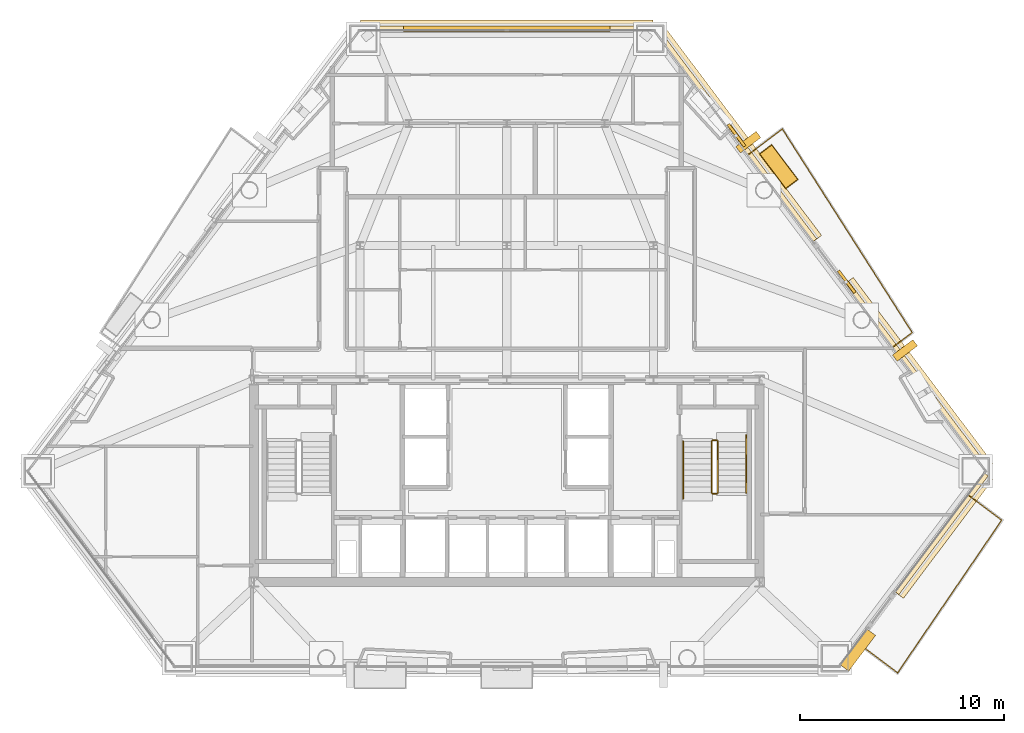
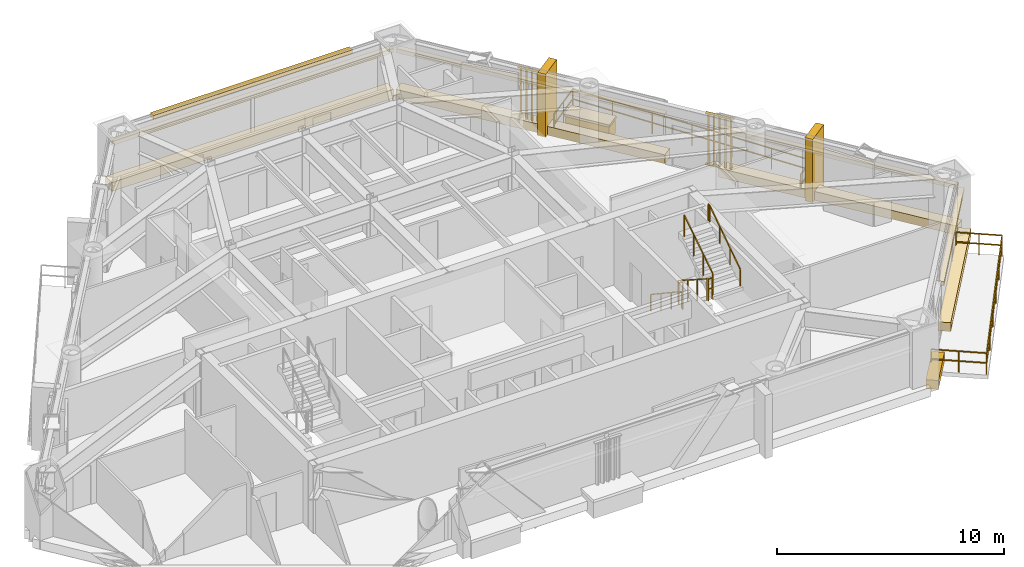
# One storey, part 11 of 11: 13 coverings, 8 railings, 3 shading devices.
"""IFC4 building model written with IfcOpenShell, lengths in metres."""

from ifc_helpers import new_model, si_unit, direction, frame, origin, origin_2d, place, context, subcontext, project, spatial, rectangle, extrude, source, transform, mapped, material, layer, layer_set, type_object, type_shapes, element, save


model = new_model("IFC4")

# Units and contexts
model_context = context("Model", 3, precision=1e-05, world=origin(), true_north=direction((0.0, 1.0)))
body_context = subcontext(model_context, "Body", "Model", "MODEL_VIEW")
ifc_project = project(units=[si_unit("LENGTHUNIT", "METRE"), si_unit("AREAUNIT", "SQUARE_METRE"), si_unit("VOLUMEUNIT", "CUBIC_METRE"), si_unit("PLANEANGLEUNIT", "RADIAN"), si_unit("MASSUNIT", "GRAM", prefix="KILO")], contexts=[model_context])

# Site, building, storey
site_placement = place(None, origin())
site = spatial("IfcSite", under=ifc_project, at=site_placement, CompositionType="ELEMENT")
building_placement = place(site_placement, origin())
building = spatial("IfcBuilding", under=site, at=building_placement, Name="Talgorran Terracotta Tower", CompositionType="ELEMENT")
storey_placement = place(building_placement, frame((0.0, 0.0, 79.199951171875)))
storey = spatial("IfcBuildingStorey", under=building, at=storey_placement, Name="L20", CompositionType="ELEMENT", Elevation=79.199951171875)

# Coverings
ifc_material_1 = material(Name="Kiln-Fired Terracotta Ochre Ceramic", Category="masonry")
ifc_layer_1 = layer(ifc_material_1, 0.179931640625, Name="COV_BAGUETTE_TERRACOTTA_SCREEN")
ifc_layer_set_1 = layer_set([ifc_layer_1], Name="Kiln-Fired Terracotta Ochre Ceramic")
covering_type_1 = type_object("IfcCoveringType", Name="COV_BAGUETTE_TERRACOTTA_SCREEN", PredefinedType="CLADDING", material=ifc_layer_set_1)
covering_1_placement = place(storey_placement, frame((21.32861328125, -11.732666015625, 2.41015625), z_axis=(0.0, 0.0, 1.0), x_axis=(0.601257323772, 0.799055461536, 0.0)))
element("IfcCovering", 1, at=covering_1_placement, inside=storey, type_object=covering_type_1, Name="L20 Terracotta Baguette Solar Screen Assembly F31", PredefinedType="CLADDING", context=body_context, shape_type="SweptSolid", body=[
    extrude(rectangle(XDim=7.287841796875, YDim=0.260009765625, at=origin_2d()), origin(), (0.0, 0.0, 1.0), 0.219970703125),
])
covering_2_placement = place(storey_placement, frame((20.094482421875, -3.972900390625, 2.41015625), z_axis=(0.0, 0.0, 1.0), x_axis=(-0.601243377531, 0.799065955334, 0.0)))
element("IfcCovering", 2, at=covering_2_placement, inside=storey, type_object=covering_type_1, Name="L20 Terracotta Baguette Solar Screen Assembly F40", PredefinedType="CLADDING", context=body_context, shape_type="SweptSolid", body=[
    extrude(rectangle(XDim=11.393310546875, YDim=0.260009765625, at=origin_2d()), origin(), (0.0, 0.0, 1.0), 0.219970703125),
])
covering_3_placement = place(storey_placement, frame((11.2431640625, 7.791015625, 2.41015625), z_axis=(0.0, 0.0, 1.0), x_axis=(-0.601243377531, 0.799065955334, 0.0)))
element("IfcCovering", 3, at=covering_3_placement, inside=storey, type_object=covering_type_1, Name="L20 Terracotta Baguette Solar Screen Assembly F41", PredefinedType="CLADDING", context=body_context, shape_type="SweptSolid", body=[
    extrude(rectangle(XDim=12.850341796875, YDim=0.260009765625, at=origin_2d()), origin(), (0.0, 0.0, 1.0), 0.219970703125),
])
covering_4_placement = place(storey_placement, frame((0.0, 13.052734375, 2.41015625), z_axis=(0.0, 0.0, 1.0), x_axis=(-1.0, 0.0, 0.0)))
element("IfcCovering", 4, at=covering_4_placement, inside=storey, type_object=covering_type_1, Name="L20 Terracotta Baguette Solar Screen Assembly F4", PredefinedType="CLADDING", context=body_context, shape_type="SweptSolid", body=[
    extrude(rectangle(XDim=14.328125, YDim=0.260009765625, at=origin_2d()), origin(), (0.0, 0.0, 1.0), 0.219970703125),
])
ifc_material_2 = material(Name="Honed Limestone and Terracotta Planter", Category="masonry")
ifc_layer_2 = layer(ifc_material_2, 0.1201171875, Name="COV_PLANTER_BOX")
ifc_layer_set_2 = layer_set([ifc_layer_2], Name="Honed Limestone and Terracotta Planter")
covering_type_2 = type_object("IfcCoveringType", Name="COV_PLANTER_BOX", PredefinedType="CLADDING", material=ifc_layer_set_2)
covering_5_placement = place(storey_placement, frame((13.346435546875, 6.2763671875, -0.02001953125), z_axis=(0.0, 0.0, 1.0), x_axis=(-0.601243377531, 0.799065955334, 0.0)))
element("IfcCovering", 5, at=covering_5_placement, inside=storey, type_object=covering_type_2, Name="L20 Staggered Balcony Planter Box BAL-NE", PredefinedType="CLADDING", context=body_context, shape_type="SweptSolid", body=[
    extrude(rectangle(XDim=2.10009765625, YDim=0.719970703125, at=origin_2d()), origin(), (0.0, 0.0, 1.0), 0.860107421875),
])
ifc_material_3 = material(Name="Kiln-Fired Terracotta Planter Rim", Category="masonry")
ifc_layer_3 = layer(ifc_material_3, 0.10009765625, Name="COV_PLANTER_RIM")
ifc_layer_set_3 = layer_set([ifc_layer_3], Name="Kiln-Fired Terracotta Planter Rim")
covering_type_3 = type_object("IfcCoveringType", Name="COV_PLANTER_RIM", PredefinedType="CLADDING", material=ifc_layer_set_3)
covering_6_placement = place(storey_placement, frame((13.346435546875, 6.2763671875, 0.800048828125), z_axis=(0.0, 0.0, 1.0), x_axis=(-0.601243377531, 0.799065955334, 0.0)))
element("IfcCovering", 6, at=covering_6_placement, inside=storey, type_object=covering_type_3, Name="L20 Balcony Planter Terracotta Rim BAL-NE", PredefinedType="CLADDING", context=body_context, shape_type="SweptSolid", body=[
    extrude(rectangle(XDim=2.179931640625, YDim=0.780029296875, at=origin_2d()), origin(), (0.0, 0.0, 1.0), 0.1201171875),
])
ifc_material_4 = material(Name="Honed Limestone Cladding", Category="masonry")
ifc_layer_4 = layer(ifc_material_4, 0.094970703125, Name="COV_PORTAL_LIME")
ifc_layer_set_4 = layer_set([ifc_layer_4], Name="Honed Limestone Cladding")
covering_type_4 = type_object("IfcCoveringType", Name="COV_PORTAL_LIME", PredefinedType="CLADDING", material=ifc_layer_set_4)
covering_7_placement = place(storey_placement, frame((17.21337890625, -17.434814453125, -0.0400390625), z_axis=(0.0, 0.0, 1.0), x_axis=(0.601257323772, 0.799055461536, 0.0)))
element("IfcCovering", 7, at=covering_7_placement, inside=storey, type_object=covering_type_4, Name="L20 Striped Postmodern Portal Cladding Band F30", PredefinedType="CLADDING", context=body_context, shape_type="SweptSolid", body=[
    extrude(rectangle(XDim=2.193603515625, YDim=0.56005859375, at=origin_2d()), origin(), (0.0, 0.0, 1.0), 0.47998046875),
])
covering_8_placement = place(storey_placement, frame((21.440673828125, -11.81689453125, -0.0400390625), z_axis=(0.0, 0.0, 1.0), x_axis=(0.601257323772, 0.799055461536, 0.0)))
element("IfcCovering", 8, at=covering_8_placement, inside=storey, type_object=covering_type_4, Name="L20 Striped Postmodern Portal Cladding Band F31", PredefinedType="CLADDING", context=body_context, shape_type="SweptSolid", body=[
    extrude(rectangle(XDim=7.307861328125, YDim=0.56005859375, at=origin_2d()), origin(), (0.0, 0.0, 1.0), 0.47998046875),
])
covering_9_placement = place(storey_placement, frame((20.206298828125, -3.888671875, -0.0400390625), z_axis=(0.0, 0.0, 1.0), x_axis=(-0.601243377531, 0.799065955334, 0.0)))
element("IfcCovering", 9, at=covering_9_placement, inside=storey, type_object=covering_type_4, Name="L20 Striped Postmodern Portal Cladding Band F40", PredefinedType="CLADDING", context=body_context, shape_type="SweptSolid", body=[
    extrude(rectangle(XDim=11.4130859375, YDim=0.56005859375, at=origin_2d()), origin(), (0.0, 0.0, 1.0), 0.47998046875),
])
covering_10_placement = place(storey_placement, frame((11.35498046875, 7.875, -0.0400390625), z_axis=(0.0, 0.0, 1.0), x_axis=(-0.601243377531, 0.799065955334, 0.0)))
element("IfcCovering", 10, at=covering_10_placement, inside=storey, type_object=covering_type_4, Name="L20 Striped Postmodern Portal Cladding Band F41", PredefinedType="CLADDING", context=body_context, shape_type="SweptSolid", body=[
    extrude(rectangle(XDim=12.870361328125, YDim=0.56005859375, at=origin_2d()), origin(), (0.0, 0.0, 1.0), 0.47998046875),
])
covering_11_placement = place(storey_placement, frame((0.0, 13.19287109375, -0.0400390625), z_axis=(0.0, 0.0, 1.0), x_axis=(-1.0, 0.0, 0.0)))
element("IfcCovering", 11, at=covering_11_placement, inside=storey, type_object=covering_type_4, Name="L20 Striped Postmodern Portal Cladding Band F4", PredefinedType="CLADDING", context=body_context, shape_type="SweptSolid", body=[
    extrude(rectangle(XDim=14.34814453125, YDim=0.56005859375, at=origin_2d()), origin(), (0.0, 0.0, 1.0), 0.47998046875),
])
covering_12_placement = place(storey_placement, frame((11.853759765625, 7.478515625, -0.0498046875), z_axis=(0.0, 0.0, 1.0), x_axis=(-0.601243377531, 0.799065955334, 0.0)))
element("IfcCovering", 12, at=covering_12_placement, inside=storey, type_object=covering_type_4, Name="L20 White Striped Portal Fin F3-2", PredefinedType="CLADDING", context=body_context, shape_type="SweptSolid", body=[
    extrude(rectangle(XDim=0.3798828125, YDim=1.25, at=origin_2d()), origin(), (0.0, 0.0, 1.0), 3.39990234375),
])
ifc_material_5 = material(Name="Kiln-Fired Terracotta Cladding", Category="masonry")
ifc_layer_5 = layer(ifc_material_5, 0.090087890625, Name="COV_PORTAL_TERRA")
ifc_layer_set_5 = layer_set([ifc_layer_5], Name="Kiln-Fired Terracotta Cladding")
covering_type_5 = type_object("IfcCoveringType", Name="COV_PORTAL_TERRA", PredefinedType="CLADDING", material=ifc_layer_set_5)
covering_13_placement = place(storey_placement, frame((19.543701171875, -2.741943359375, -0.0498046875), z_axis=(0.0, 0.0, 1.0), x_axis=(-0.601243377531, 0.799065955334, 0.0)))
element("IfcCovering", 13, at=covering_13_placement, inside=storey, type_object=covering_type_5, Name="L20 Terracotta Striped Portal Fin F3-1", PredefinedType="CLADDING", context=body_context, shape_type="SweptSolid", body=[
    extrude(rectangle(XDim=0.3798828125, YDim=1.25, at=origin_2d()), origin(), (0.0, 0.0, 1.0), 3.39990234375),
])

# Railings
ifc_material_6 = material(Name="Laminated Glass and Stainless Steel 316", Category="steel")
railing_type_1 = type_object("IfcRailingType", Name="RL_BALCONY_1150", PredefinedType="BALUSTRADE", material=ifc_material_6)
railing_1_placement = place(storey_placement, frame((18.946533203125, -2.580078125, 0.0)))
element("IfcRailing", 14, at=railing_1_placement, inside=storey, type_object=railing_type_1, Name="RL-L20-BAL-BAL-NE", PredefinedType="BALUSTRADE", context=body_context, shape_type="SweptSolid", body=[
    extrude(rectangle(XDim=0.048095703125, YDim=0.048095703125, at=origin_2d()), frame((0.0, 0.0, 1.1259765625), z_axis=(0.799234453562, 0.601019374263, 0.0), x_axis=(-0.601019374263, 0.799234453562, 0.0)), (0.0, 0.0, 1.0), 1.187255859375),
    extrude(rectangle(XDim=0.048095703125, YDim=0.048095703125, at=origin_2d()), frame((0.0, 0.0, 0.597900390625), z_axis=(0.799234453562, 0.601019374263, 0.0), x_axis=(-0.601019374263, 0.799234453562, 0.0)), (0.0, 0.0, 1.0), 1.187255859375),
    extrude(rectangle(XDim=0.048095703125, YDim=0.048095703125, at=origin_2d()), frame((0.948974609375, 0.713623046875, 1.1259765625), z_axis=(-0.537721769239, 0.843122351078, 0.0), x_axis=(-0.843122351078, -0.537721769239, 0.0)), (0.0, 0.0, 1.0), 11.849609375),
    extrude(rectangle(XDim=0.048095703125, YDim=0.048095703125, at=origin_2d()), frame((0.948974609375, 0.713623046875, 0.597900390625), z_axis=(-0.537721769239, 0.843122351078, 0.0), x_axis=(-0.843122351078, -0.537721769239, 0.0)), (0.0, 0.0, 1.0), 11.849609375),
    extrude(rectangle(XDim=0.048095703125, YDim=0.048095703125, at=origin_2d()), frame((-5.4228515625, 10.704345703125, 1.1259765625), z_axis=(-0.799079457155, -0.60122543289, 0.0), x_axis=(0.60122543289, -0.799079457155, 0.0)), (0.0, 0.0, 1.0), 2.1025390625),
    extrude(rectangle(XDim=0.048095703125, YDim=0.048095703125, at=origin_2d()), frame((-5.4228515625, 10.704345703125, 0.597900390625), z_axis=(-0.799079457155, -0.60122543289, 0.0), x_axis=(0.60122543289, -0.799079457155, 0.0)), (0.0, 0.0, 1.0), 2.1025390625),
    extrude(rectangle(XDim=0.0419921875, YDim=0.0419921875, at=origin_2d()), origin(), (0.0, 0.0, 1.0), 1.101806640625),
    extrude(rectangle(XDim=0.0419921875, YDim=0.0419921875, at=origin_2d()), frame((0.948974609375, 0.713623046875, 0.0)), (0.0, 0.0, 1.0), 1.101806640625),
    extrude(rectangle(XDim=0.0419921875, YDim=0.0419921875, at=origin_2d()), frame((-0.113037109375, 2.378662109375, 0.0)), (0.0, 0.0, 1.0), 1.101806640625),
    extrude(rectangle(XDim=0.0419921875, YDim=0.0419921875, at=origin_2d()), frame((-1.175048828125, 4.0439453125, 0.0)), (0.0, 0.0, 1.0), 1.101806640625),
    extrude(rectangle(XDim=0.0419921875, YDim=0.0419921875, at=origin_2d()), frame((-2.23681640625, 5.708984375, 0.0)), (0.0, 0.0, 1.0), 1.101806640625),
    extrude(rectangle(XDim=0.0419921875, YDim=0.0419921875, at=origin_2d()), frame((-3.298828125, 7.3740234375, 0.0)), (0.0, 0.0, 1.0), 1.101806640625),
    extrude(rectangle(XDim=0.0419921875, YDim=0.0419921875, at=origin_2d()), frame((-4.36083984375, 9.039306640625, 0.0)), (0.0, 0.0, 1.0), 1.101806640625),
    extrude(rectangle(XDim=0.0419921875, YDim=0.0419921875, at=origin_2d()), frame((-5.4228515625, 10.704345703125, 0.0)), (0.0, 0.0, 1.0), 1.101806640625),
    extrude(rectangle(XDim=0.0419921875, YDim=0.0419921875, at=origin_2d()), frame((-6.262939453125, 10.072265625, 0.0)), (0.0, 0.0, 1.0), 1.101806640625),
    extrude(rectangle(XDim=0.0419921875, YDim=0.0419921875, at=origin_2d()), frame((-7.10302734375, 9.440185546875, 0.0)), (0.0, 0.0, 1.0), 1.101806640625),
])
railing_2_placement = place(storey_placement, frame((17.20556640625, -17.079345703125, 0.0)))
element("IfcRailing", 15, at=railing_2_placement, inside=storey, type_object=railing_type_1, Name="RL-L20-BAL-BAL-SE", PredefinedType="BALUSTRADE", context=body_context, shape_type="SweptSolid", body=[
    extrude(rectangle(XDim=0.048095703125, YDim=0.048095703125, at=origin_2d()), frame((0.0, 0.0, 1.1259765625), z_axis=(0.799026117833, -0.601296318815, 0.0), x_axis=(0.601296318815, 0.799026117833, 0.0)), (0.0, 0.0, 1.0), 2.469482421875),
    extrude(rectangle(XDim=0.048095703125, YDim=0.048095703125, at=origin_2d()), frame((0.0, 0.0, 0.597900390625), z_axis=(0.799026117833, -0.601296318815, 0.0), x_axis=(0.601296318815, 0.799026117833, 0.0)), (0.0, 0.0, 1.0), 2.469482421875),
    extrude(rectangle(XDim=0.048095703125, YDim=0.048095703125, at=origin_2d()), frame((1.97314453125, -1.48486328125, 1.1259765625), z_axis=(0.563360211289, 0.826211396881, 0.0), x_axis=(-0.826211396881, 0.563360211289, 0.0)), (0.0, 0.0, 1.0), 9.06982421875),
    extrude(rectangle(XDim=0.048095703125, YDim=0.048095703125, at=origin_2d()), frame((1.97314453125, -1.48486328125, 0.597900390625), z_axis=(0.563360211289, 0.826211396881, 0.0), x_axis=(-0.826211396881, 0.563360211289, 0.0)), (0.0, 0.0, 1.0), 9.06982421875),
    extrude(rectangle(XDim=0.048095703125, YDim=0.048095703125, at=origin_2d()), frame((7.082763671875, 6.0087890625, 1.1259765625), z_axis=(-0.799083103872, 0.601220586063, 0.0), x_axis=(-0.601220586063, -0.799083103872, 0.0)), (0.0, 0.0, 1.0), 2.047119140625),
    extrude(rectangle(XDim=0.048095703125, YDim=0.048095703125, at=origin_2d()), frame((7.082763671875, 6.0087890625, 0.597900390625), z_axis=(-0.799083103872, 0.601220586063, 0.0), x_axis=(-0.601220586063, -0.799083103872, 0.0)), (0.0, 0.0, 1.0), 2.047119140625),
    extrude(rectangle(XDim=0.0419921875, YDim=0.0419921875, at=origin_2d()), origin(), (0.0, 0.0, 1.0), 1.101806640625),
    extrude(rectangle(XDim=0.0419921875, YDim=0.0419921875, at=origin_2d()), frame((0.986572265625, -0.742431640625, 0.0)), (0.0, 0.0, 1.0), 1.101806640625),
    extrude(rectangle(XDim=0.0419921875, YDim=0.0419921875, at=origin_2d()), frame((1.97314453125, -1.48486328125, 0.0)), (0.0, 0.0, 1.0), 1.101806640625),
    extrude(rectangle(XDim=0.0419921875, YDim=0.0419921875, at=origin_2d()), frame((2.9951171875, 0.013916015625, 0.0)), (0.0, 0.0, 1.0), 1.101806640625),
    extrude(rectangle(XDim=0.0419921875, YDim=0.0419921875, at=origin_2d()), frame((4.01708984375, 1.5126953125, 0.0)), (0.0, 0.0, 1.0), 1.101806640625),
    extrude(rectangle(XDim=0.0419921875, YDim=0.0419921875, at=origin_2d()), frame((5.038818359375, 3.01123046875, 0.0)), (0.0, 0.0, 1.0), 1.101806640625),
    extrude(rectangle(XDim=0.0419921875, YDim=0.0419921875, at=origin_2d()), frame((6.060791015625, 4.510009765625, 0.0)), (0.0, 0.0, 1.0), 1.101806640625),
    extrude(rectangle(XDim=0.0419921875, YDim=0.0419921875, at=origin_2d()), frame((7.082763671875, 6.0087890625, 0.0)), (0.0, 0.0, 1.0), 1.101806640625),
    extrude(rectangle(XDim=0.0419921875, YDim=0.0419921875, at=origin_2d()), frame((6.264892578125, 6.6240234375, 0.0)), (0.0, 0.0, 1.0), 1.101806640625),
    extrude(rectangle(XDim=0.0419921875, YDim=0.0419921875, at=origin_2d()), frame((5.447021484375, 7.239501953125, 0.0)), (0.0, 0.0, 1.0), 1.101806640625),
])
ifc_material_7 = material(Name="Steel S355 (300PLUS)", Category="steel")
railing_type_2 = type_object("IfcRailingType", Name="RL_HANDRAIL_920", PredefinedType="HANDRAIL", material=ifc_material_7)
railing_3_placement = place(storey_placement, frame((8.64990234375, -7.199951171875, 0.179931640625)))
element("IfcRailing", 16, at=railing_3_placement, inside=storey, type_object=railing_type_2, Name="L20 ST-02 stair handrail 1", PredefinedType="HANDRAIL", context=body_context, shape_type="SweptSolid", body=[
    extrude(rectangle(XDim=0.048095703125, YDim=0.048095703125, at=origin_2d()), frame((0.0, 0.0, 0.89599609375), z_axis=(0.0, -0.832038719335, 0.554717558338), x_axis=(1.0, 0.0, 0.0)), (0.0, 0.0, 1.0), 3.244873046875),
    extrude(rectangle(XDim=0.048095703125, YDim=0.048095703125, at=origin_2d()), frame((0.0, -2.699951171875, 2.69580078125), z_axis=(0.0, -1.0, 0.0), x_axis=(1.0, 0.0, 0.0)), (0.0, 0.0, 1.0), 0.1201171875),
    extrude(rectangle(XDim=0.0419921875, YDim=0.0419921875, at=origin_2d()), origin(), (0.0, 0.0, 1.0), 0.871826171875),
    extrude(rectangle(XDim=0.0419921875, YDim=0.0419921875, at=origin_2d()), frame((0.0, -0.89990234375, 0.60009765625)), (0.0, 0.0, 1.0), 0.871826171875),
    extrude(rectangle(XDim=0.0419921875, YDim=0.0419921875, at=origin_2d()), frame((0.0, -1.800048828125, 1.199951171875)), (0.0, 0.0, 1.0), 0.871826171875),
    extrude(rectangle(XDim=0.0419921875, YDim=0.0419921875, at=origin_2d()), frame((0.0, -2.699951171875, 1.800048828125)), (0.0, 0.0, 1.0), 0.871826171875),
    extrude(rectangle(XDim=0.0419921875, YDim=0.0419921875, at=origin_2d()), frame((0.0, -2.820068359375, 1.800048828125)), (0.0, 0.0, 1.0), 0.871826171875),
])
railing_4_placement = place(storey_placement, frame((11.75, -9.719970703125, 1.97998046875)))
element("IfcRailing", 17, at=railing_4_placement, inside=storey, type_object=railing_type_2, Name="L20 ST-02 stair handrail 2", PredefinedType="HANDRAIL", context=body_context, shape_type="SweptSolid", body=[
    extrude(rectangle(XDim=0.048095703125, YDim=0.048095703125, at=origin_2d()), frame((0.0, 0.0, 0.89599609375), z_axis=(0.0, 0.832038719335, 0.554717558338), x_axis=(-1.0, 0.0, 0.0)), (0.0, 0.0, 1.0), 3.244873046875),
    extrude(rectangle(XDim=0.048095703125, YDim=0.048095703125, at=origin_2d()), frame((0.0, 2.699951171875, 2.69580078125), z_axis=(0.0, 1.0, 0.0), x_axis=(-1.0, 0.0, 0.0)), (0.0, 0.0, 1.0), 0.1201171875),
    extrude(rectangle(XDim=0.0419921875, YDim=0.0419921875, at=origin_2d()), origin(), (0.0, 0.0, 1.0), 0.871826171875),
    extrude(rectangle(XDim=0.0419921875, YDim=0.0419921875, at=origin_2d()), frame((0.0, 0.89990234375, 0.60009765625)), (0.0, 0.0, 1.0), 0.871826171875),
    extrude(rectangle(XDim=0.0419921875, YDim=0.0419921875, at=origin_2d()), frame((0.0, 1.800048828125, 1.199951171875)), (0.0, 0.0, 1.0), 0.871826171875),
    extrude(rectangle(XDim=0.0419921875, YDim=0.0419921875, at=origin_2d()), frame((0.0, 2.699951171875, 1.800048828125)), (0.0, 0.0, 1.0), 0.871826171875),
    extrude(rectangle(XDim=0.0419921875, YDim=0.0419921875, at=origin_2d()), frame((0.0, 2.820068359375, 1.800048828125)), (0.0, 0.0, 1.0), 0.871826171875),
])
railing_type_3 = type_object("IfcRailingType", Name="RL_STAIR_GUARD", PredefinedType="GUARDRAIL", material=ifc_material_7)
railing_5_placement = place(storey_placement, frame((10.050048828125, -7.199951171875, 0.179931640625)))
element("IfcRailing", 18, at=railing_5_placement, inside=storey, type_object=railing_type_3, Name="L20 ST-02 stair guard 1", PredefinedType="GUARDRAIL", context=body_context, shape_type="SweptSolid", body=[
    extrude(rectangle(XDim=0.048095703125, YDim=0.048095703125, at=origin_2d()), frame((0.0, 0.0, 1.15576171875), z_axis=(0.0, -0.841162588446, 0.540782303519), x_axis=(1.0, 0.0, 0.0)), (0.0, 0.0, 1.0), 2.995849609375),
    extrude(rectangle(XDim=0.0419921875, YDim=0.0419921875, at=origin_2d()), origin(), (0.0, 0.0, 1.0), 1.1318359375),
    extrude(rectangle(XDim=0.0419921875, YDim=0.0419921875, at=origin_2d()), frame((0.0, -0.840087890625, 0.5400390625)), (0.0, 0.0, 1.0), 1.1318359375),
    extrude(rectangle(XDim=0.0419921875, YDim=0.0419921875, at=origin_2d()), frame((0.0, -1.679931640625, 1.080078125)), (0.0, 0.0, 1.0), 1.1318359375),
    extrude(rectangle(XDim=0.0419921875, YDim=0.0419921875, at=origin_2d()), frame((0.0, -2.52001953125, 1.6201171875)), (0.0, 0.0, 1.0), 1.1318359375),
])
railing_6_placement = place(storey_placement, frame((10.10009765625, -9.77001953125, 1.800048828125)))
element("IfcRailing", 19, at=railing_6_placement, inside=storey, type_object=railing_type_3, Name="L20 ST-02 stair guard 2", PredefinedType="GUARDRAIL", context=body_context, shape_type="SweptSolid", body=[
    extrude(rectangle(XDim=0.048095703125, YDim=0.048095703125, at=origin_2d()), frame((0.0, 0.0, 1.15576171875), z_axis=(1.0, 0.0, 0.0), x_axis=(0.0, 1.0, 0.0)), (0.0, 0.0, 1.0), 0.199951171875),
    extrude(rectangle(XDim=0.048095703125, YDim=0.048095703125, at=origin_2d()), frame((0.0, 0.0, 0.613525390625), z_axis=(1.0, 0.0, 0.0), x_axis=(0.0, 1.0, 0.0)), (0.0, 0.0, 1.0), 0.199951171875),
    extrude(rectangle(XDim=0.0419921875, YDim=0.0419921875, at=origin_2d()), origin(), (0.0, 0.0, 1.0), 1.1318359375),
    extrude(rectangle(XDim=0.0419921875, YDim=0.0419921875, at=origin_2d()), frame((0.199951171875, 0.0, 0.0)), (0.0, 0.0, 1.0), 1.1318359375),
])
railing_7_placement = place(storey_placement, frame((10.35009765625, -9.719970703125, 1.97998046875)))
element("IfcRailing", 20, at=railing_7_placement, inside=storey, type_object=railing_type_3, Name="L20 ST-02 stair guard 3", PredefinedType="GUARDRAIL", context=body_context, shape_type="SweptSolid", body=[
    extrude(rectangle(XDim=0.048095703125, YDim=0.048095703125, at=origin_2d()), frame((0.0, 0.0, 1.15576171875), z_axis=(0.0, 0.841162588446, 0.540782303519), x_axis=(-1.0, 0.0, 0.0)), (0.0, 0.0, 1.0), 2.995849609375),
    extrude(rectangle(XDim=0.0419921875, YDim=0.0419921875, at=origin_2d()), origin(), (0.0, 0.0, 1.0), 1.1318359375),
    extrude(rectangle(XDim=0.0419921875, YDim=0.0419921875, at=origin_2d()), frame((0.0, 0.840087890625, 0.5400390625)), (0.0, 0.0, 1.0), 1.1318359375),
    extrude(rectangle(XDim=0.0419921875, YDim=0.0419921875, at=origin_2d()), frame((0.0, 1.679931640625, 1.080078125)), (0.0, 0.0, 1.0), 1.1318359375),
    extrude(rectangle(XDim=0.0419921875, YDim=0.0419921875, at=origin_2d()), frame((0.0, 2.52001953125, 1.6201171875)), (0.0, 0.0, 1.0), 1.1318359375),
])
railing_8_placement = place(storey_placement, frame((10.10009765625, -7.14990234375, 0.0)))
element("IfcRailing", 21, at=railing_8_placement, inside=storey, type_object=railing_type_3, Name="L20 ST-02 stair guard 4", PredefinedType="GUARDRAIL", context=body_context, shape_type="SweptSolid", body=[
    extrude(rectangle(XDim=0.048095703125, YDim=0.048095703125, at=origin_2d()), frame((0.0, 0.0, 1.15576171875), z_axis=(1.0, 0.0, 0.0), x_axis=(0.0, 1.0, 0.0)), (0.0, 0.0, 1.0), 0.199951171875),
    extrude(rectangle(XDim=0.048095703125, YDim=0.048095703125, at=origin_2d()), frame((0.0, 0.0, 0.613525390625), z_axis=(1.0, 0.0, 0.0), x_axis=(0.0, 1.0, 0.0)), (0.0, 0.0, 1.0), 0.199951171875),
    extrude(rectangle(XDim=0.0419921875, YDim=0.0419921875, at=origin_2d()), origin(), (0.0, 0.0, 1.0), 1.1318359375),
    extrude(rectangle(XDim=0.0419921875, YDim=0.0419921875, at=origin_2d()), frame((0.199951171875, 0.0, 0.0)), (0.0, 0.0, 1.0), 1.1318359375),
])

# Shading devices
ifc_material_8 = material(Name="Kiln-Fired Terracotta", Category="masonry")
ifc_layer_6 = layer(ifc_material_8, 0.139892578125, Name="SHD_BAGUETTE_TERRA")
ifc_layer_set_6 = layer_set([ifc_layer_6], Name="Kiln-Fired Terracotta")
shading_device_type_1 = type_object("IfcShadingDeviceType", Name="SHD_BAGUETTE_TERRA", PredefinedType="JALOUSIE", material=ifc_layer_set_6)
shared_shape_1 = source(origin(), body_context, "Body", "SweptSolid", [
    extrude(rectangle(XDim=1.35009765625, YDim=0.139892578125, at=origin_2d()), origin(), (0.0, 0.0, 1.0), 0.054931640625),
    extrude(rectangle(XDim=1.35009765625, YDim=0.139892578125, at=origin_2d()), frame((0.0, 0.0, 2.7451171875)), (0.0, 0.0, 1.0), 0.054931640625),
    extrude(rectangle(XDim=0.074951171875, YDim=0.139892578125, at=origin_2d()), frame((-0.53515625, 0.0, 0.054931640625), z_axis=(0.0, 0.0, 1.0), x_axis=(0.866025403784, 0.5, 0.0)), (0.0, 0.0, 1.0), 2.690185546875),
    extrude(rectangle(XDim=0.074951171875, YDim=0.139892578125, at=origin_2d()), frame((-0.267578125, 0.0, 0.054931640625), z_axis=(0.0, 0.0, 1.0), x_axis=(0.866025403784, 0.5, 0.0)), (0.0, 0.0, 1.0), 2.690185546875),
    extrude(rectangle(XDim=0.074951171875, YDim=0.139892578125, at=origin_2d()), frame((0.0, 0.0, 0.054931640625), z_axis=(0.0, 0.0, 1.0), x_axis=(0.866025403784, 0.5, 0.0)), (0.0, 0.0, 1.0), 2.690185546875),
    extrude(rectangle(XDim=0.074951171875, YDim=0.139892578125, at=origin_2d()), frame((0.267578125, 0.0, 0.054931640625), z_axis=(0.0, 0.0, 1.0), x_axis=(0.866025403784, 0.5, 0.0)), (0.0, 0.0, 1.0), 2.690185546875),
    extrude(rectangle(XDim=0.074951171875, YDim=0.139892578125, at=origin_2d()), frame((0.53515625, 0.0, 0.054931640625), z_axis=(0.0, 0.0, 1.0), x_axis=(0.866025403784, 0.5, 0.0)), (0.0, 0.0, 1.0), 2.690185546875),
])
type_shapes(shading_device_type_1, [shared_shape_1])
for number, where, z_axis, x_axis, name in (
    (22, (16.678955078125, 0.63330078125, 0.35009765625), (0.0, 0.0, 1.0), (-0.601243377531, 0.799065955334, 0.0), "BAG-L20-F40"),
    (23, (11.275146484375, 7.81494140625, 0.35009765625), (0.0, 0.0, 1.0), (-0.601243377531, 0.799065955334, 0.0), "BAG-L20-F41"),
):
    element("IfcShadingDevice", number, at=place(storey_placement, frame(where, z_axis=z_axis, x_axis=x_axis)), inside=storey, type_object=shading_device_type_1, Name=name, PredefinedType="JALOUSIE", context=body_context, shape_type="MappedRepresentation", body=[
        mapped(shared_shape_1, transform((0.0, 0.0, 0.0), scale=1.0)),
    ])
ifc_layer_7 = layer(ifc_material_8, 0.280029296875, Name="SHD_SUNSHADE_TERRA")
ifc_layer_set_7 = layer_set([ifc_layer_7], Name="Kiln-Fired Terracotta")
shading_device_type_2 = type_object("IfcShadingDeviceType", Name="SHD_SUNSHADE_TERRA", PredefinedType="AWNING", material=ifc_layer_set_7)
shared_shape_2 = source(origin(), body_context, "Body", "SweptSolid", [
    extrude(rectangle(XDim=10.127685546875, YDim=0.280029296875, at=origin_2d()), origin(), (0.0, 0.0, 1.0), 0.199951171875),
])
type_shapes(shading_device_type_2, [shared_shape_2])
shading_device_placement = place(storey_placement, frame((0.0, 13.03271484375, 3.10986328125), z_axis=(0.0, 0.0, 1.0), x_axis=(-1.0, 0.0, 0.0)))
element("IfcShadingDevice", 24, at=shading_device_placement, inside=storey, type_object=shading_device_type_2, Name="SHD-BROW-L20-F4", PredefinedType="AWNING", context=body_context, shape_type="MappedRepresentation", body=[
    mapped(shared_shape_2, transform((0.0, 0.0, 0.0), scale=1.0)),
])

save(model, "model.ifc")
